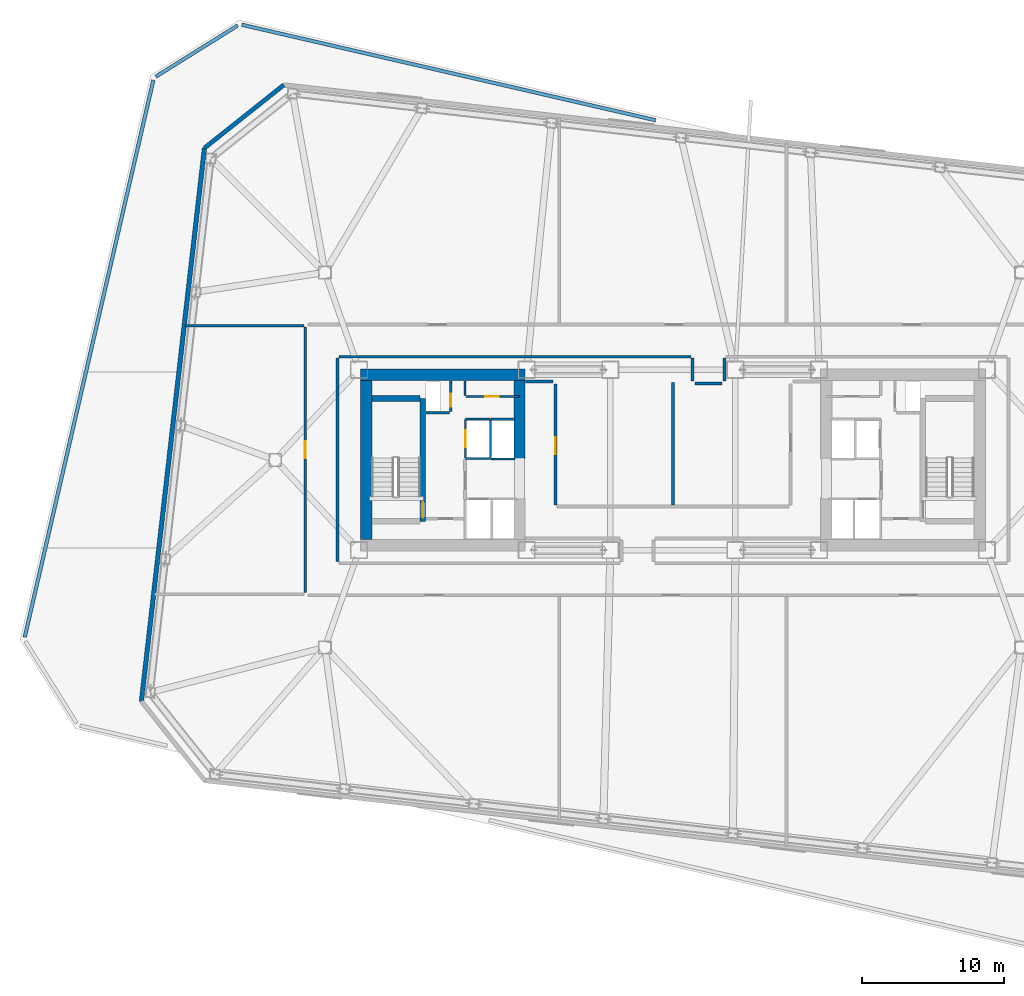
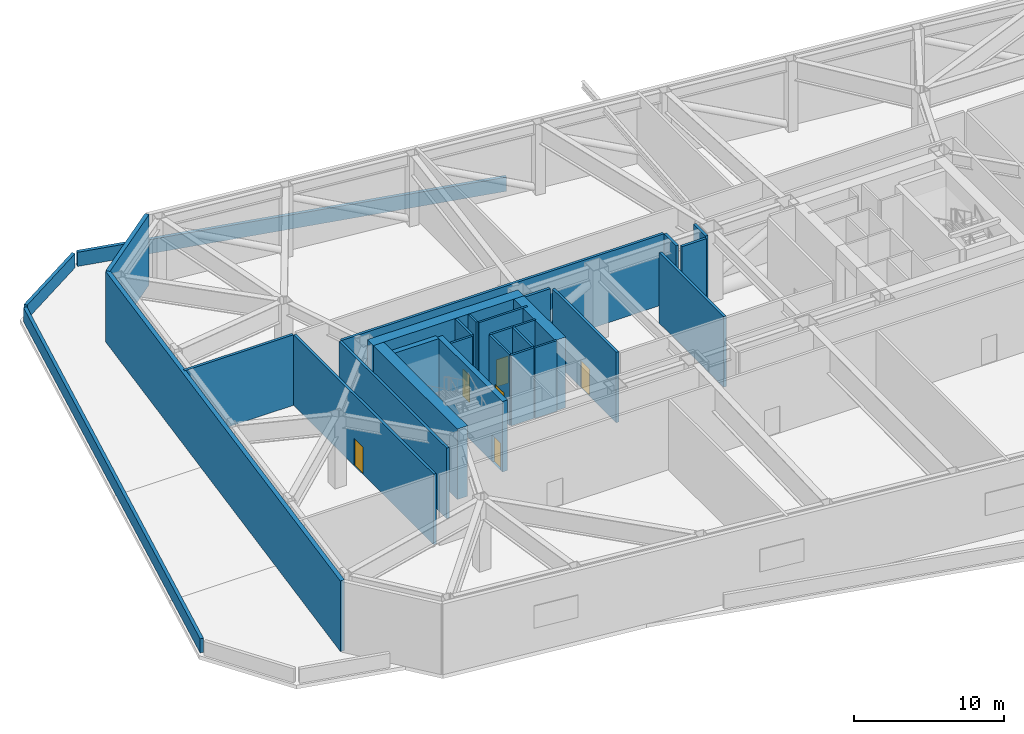
# One storey, part 5 of 14: 30 walls, 6 doors, 6 openings.
"""IFC4 building model written with IfcOpenShell, lengths in metres."""

from ifc_helpers import new_model, si_unit, direction, frame, frame_2d, origin, place, context, subcontext, project, spatial, rectangle, extrude, material, layer, layer_set, type_object, element, fill, save


model = new_model("IFC4")

# Units and contexts
model_context = context("Model", 3, precision=1e-05, world=origin(), true_north=direction((0.0, 1.0)))
body_context = subcontext(model_context, "Body", "Model", "MODEL_VIEW")
ifc_project = project(units=[si_unit("LENGTHUNIT", "METRE"), si_unit("AREAUNIT", "SQUARE_METRE"), si_unit("VOLUMEUNIT", "CUBIC_METRE"), si_unit("PLANEANGLEUNIT", "RADIAN"), si_unit("MASSUNIT", "GRAM", prefix="KILO")], contexts=[model_context])

# Site, building, storey
site_placement = place(None, origin())
site = spatial("IfcSite", under=ifc_project, at=site_placement, CompositionType="ELEMENT")
building_placement = place(site_placement, origin())
building = spatial("IfcBuilding", under=site, at=building_placement, Name="Tavrogorsk Clinical Tower", CompositionType="ELEMENT")
storey_placement = place(building_placement, frame((0.0, 0.0, 83.39990234375)))
storey = spatial("IfcBuildingStorey", under=building, at=storey_placement, Name="L18", CompositionType="ELEMENT", Elevation=83.39990234375)

# Wall, opening, door
ifc_material_1 = material(Name="Concrete B60", Category="concrete")
ifc_layer_1 = layer(ifc_material_1, 0.199951171875)
ifc_layer_set_1 = layer_set([ifc_layer_1], Name="Concrete B60")
wall_type_1 = type_object("IfcWallType", Name="CoreFireWall_200", PredefinedType="SOLIDWALL", material=ifc_layer_set_1)
wall_1_placement = place(storey_placement, frame((-25.8798828125, -9.344970703125, 0.0), z_axis=(0.0, 0.0, 1.0), x_axis=(0.0, 1.0, 0.0)))
wall_1 = element("IfcWall", 1, at=wall_1_placement, inside=storey, type_object=wall_type_1, Name="L18 Refuge Corridor Fire Wall 01", PredefinedType="SOLIDWALL", context=body_context, shape_type="SweptSolid", body=[
    extrude(rectangle(XDim=18.68994140625, YDim=0.199951171875, at=frame_2d((9.344970703125, 0.0))), origin(), (0.0, 0.0, 1.0), 5.739990234375),
])
opening_1_placement = place(wall_1_placement, frame((9.449951171875, 0.0, 0.0)))
opening_1 = element("IfcOpeningElement", 2, at=opening_1_placement, cuts=wall_1, Name="Opening FD-01", PredefinedType="OPENING", context=body_context, shape_type="SweptSolid", body=[
    extrude(rectangle(XDim=1.199951171875, YDim=2.199951171875, at=frame_2d((0.60009765625, 1.10009765625))), frame((0.0, 0.10986328125, 0.0), z_axis=(0.0, -1.0, 0.0), x_axis=(1.0, 0.0, 0.0)), (0.0, 0.0, 1.0), 0.219970703125),
])
ifc_material_2 = material(Name="Galvanised steel fire-rated door assembly", Category="steel")
door_type_1 = type_object("IfcDoorType", Name="FireDoor_FD01_1200", OperationType="NOTDEFINED", PredefinedType="DOOR", material=ifc_material_2)
door_1_placement = place(opening_1_placement, origin())
door_1 = element("IfcDoor", 3, at=door_1_placement, inside=storey, type_object=door_type_1, Name="L18 Smoke Extract & Damper Plenum West Fire Door", OperationType="SINGLE_SWING_LEFT", OverallHeight=2.199951171875, OverallWidth=1.199951171875, PredefinedType="DOOR", context=body_context, shape_type="SweptSolid", body=[
    extrude(rectangle(XDim=1.199951171875, YDim=2.199951171875, at=frame_2d((0.60009765625, 1.10009765625))), frame((0.0, 0.02490234375, 0.0), z_axis=(0.0, -1.0, 0.0), x_axis=(1.0, 0.0, 0.0)), (0.0, 0.0, 1.0), 0.050048828125),
])
fill(opening_1, door_1)

# Wall
wall_2_placement = place(storey_placement, frame((-10.3798828125, 5.530029296875, 0.0), z_axis=(0.0, 0.0, 1.0), x_axis=(1.0, 0.0, 0.0)))
element("IfcWall", 4, at=wall_2_placement, inside=storey, type_object=wall_type_1, Name="L18 Refuge Corridor Fire Wall 07", PredefinedType="SOLIDWALL", context=body_context, shape_type="SweptSolid", body=[
    extrude(rectangle(XDim=1.9248046875, YDim=0.199951171875, at=frame_2d((0.96240234375, 0.0))), origin(), (0.0, 0.0, 1.0), 5.739990234375),
])

# Wall, opening, door
wall_3_placement = place(storey_placement, frame((-8.27001953125, 5.344970703125, 0.0), z_axis=(0.0, 0.0, 1.0), x_axis=(0.0, -1.0, 0.0)))
wall_3 = element("IfcWall", 5, at=wall_3_placement, inside=storey, type_object=wall_type_1, Name="L18 Refuge Corridor Fire Wall 08", PredefinedType="SOLIDWALL", context=body_context, shape_type="SweptSolid", body=[
    extrude(rectangle(XDim=8.510009765625, YDim=0.199951171875, at=frame_2d((4.2548828125, 0.0))), origin(), (0.0, 0.0, 1.0), 5.739990234375),
])
opening_2_placement = place(wall_3_placement, frame((3.760009765625, 0.0, 0.0)))
opening_2 = element("IfcOpeningElement", 6, at=opening_2_placement, cuts=wall_3, Name="Opening FD-01", PredefinedType="OPENING", context=body_context, shape_type="SweptSolid", body=[
    extrude(rectangle(XDim=1.199951171875, YDim=2.199951171875, at=frame_2d((0.60009765625, 1.10009765625))), frame((0.0, 0.10986328125, 0.0), z_axis=(0.0, -1.0, 0.0), x_axis=(1.0, 0.0, 0.0)), (0.0, 0.0, 1.0), 0.219970703125),
])
door_2_placement = place(opening_2_placement, origin())
door_2 = element("IfcDoor", 7, at=door_2_placement, inside=storey, type_object=door_type_1, Name="L18 Zone Substation & Medical IT UPS Fire Door", OperationType="SINGLE_SWING_LEFT", OverallHeight=2.199951171875, OverallWidth=1.199951171875, PredefinedType="DOOR", context=body_context, shape_type="SweptSolid", body=[
    extrude(rectangle(XDim=1.199951171875, YDim=2.199951171875, at=frame_2d((0.60009765625, 1.10009765625))), frame((0.0, 0.02490234375, 0.0), z_axis=(0.0, -1.0, 0.0), x_axis=(1.0, 0.0, 0.0)), (0.0, 0.0, 1.0), 0.050048828125),
])
fill(opening_2, door_2)

# Walls
wall_4_placement = place(storey_placement, frame((3.6298828125, 7.1650390625, 0.0), z_axis=(0.0, 0.0, 1.0), x_axis=(0.0, -1.0, 0.0)))
element("IfcWall", 8, at=wall_4_placement, inside=storey, type_object=wall_type_1, Name="L18 Refuge Corridor Fire Wall 17", PredefinedType="SOLIDWALL", context=body_context, shape_type="SweptSolid", body=[
    extrude(rectangle(XDim=1.610107421875, YDim=0.199951171875, at=frame_2d((0.80517578125, 0.0))), origin(), (0.0, 0.0, 1.0), 5.739990234375),
])
wall_5_placement = place(storey_placement, frame((3.445068359375, 5.3701171875, 0.0), z_axis=(0.0, 0.0, 1.0), x_axis=(-1.0, 0.0, 0.0)))
element("IfcWall", 9, at=wall_5_placement, inside=storey, type_object=wall_type_1, Name="L18 Refuge Corridor Fire Wall 18", PredefinedType="SOLIDWALL", context=body_context, shape_type="SweptSolid", body=[
    extrude(rectangle(XDim=1.89013671875, YDim=0.199951171875, at=frame_2d((0.945068359375, 0.0))), origin(), (0.0, 0.0, 1.0), 5.739990234375),
])
wall_6_placement = place(storey_placement, frame((1.3701171875, 5.554931640625, 0.0), z_axis=(0.0, 0.0, 1.0), x_axis=(0.0, 1.0, 0.0)))
element("IfcWall", 10, at=wall_6_placement, inside=storey, type_object=wall_type_1, Name="L18 Refuge Corridor Fire Wall 19", PredefinedType="SOLIDWALL", context=body_context, shape_type="SweptSolid", body=[
    extrude(rectangle(XDim=1.610107421875, YDim=0.199951171875, at=frame_2d((0.80517578125, 0.0))), origin(), (0.0, 0.0, 1.0), 5.739990234375),
])
wall_7_placement = place(storey_placement, frame((1.264892578125, 7.27001953125, 0.0), z_axis=(0.0, 0.0, 1.0), x_axis=(-1.0, 0.0, 0.0)))
element("IfcWall", 11, at=wall_7_placement, inside=storey, type_object=wall_type_1, Name="L18 Refuge Corridor Fire Wall 20", PredefinedType="SOLIDWALL", context=body_context, shape_type="SweptSolid", body=[
    extrude(rectangle(XDim=24.77978515625, YDim=0.199951171875, at=frame_2d((12.389892578125, 0.0))), origin(), (0.0, 0.0, 1.0), 5.739990234375),
])
wall_8_placement = place(storey_placement, frame((-23.6201171875, 7.1650390625, 0.0), z_axis=(0.0, 0.0, 1.0), x_axis=(0.0, -1.0, 0.0)))
element("IfcWall", 12, at=wall_8_placement, inside=storey, type_object=wall_type_1, Name="L18 Refuge Corridor Fire Wall 21", PredefinedType="SOLIDWALL", context=body_context, shape_type="SweptSolid", body=[
    extrude(rectangle(XDim=14.330078125, YDim=0.199951171875, at=frame_2d((7.1650390625, 0.0))), origin(), (0.0, 0.0, 1.0), 5.739990234375),
])
wall_9_placement = place(storey_placement, frame((-34.3427734375, 9.449951171875, 0.0), z_axis=(0.0, 0.0, 1.0), x_axis=(1.0, 0.0, 0.0)))
element("IfcWall", 13, at=wall_9_placement, inside=storey, type_object=wall_type_1, Name="L18 Refuge & Plant Fire Wall 3", PredefinedType="SOLIDWALL", context=body_context, shape_type="SweptSolid", body=[
    extrude(rectangle(XDim=8.357666015625, YDim=0.199951171875, at=frame_2d((4.1787109375, 0.0))), origin(), (0.0, 0.0, 1.0), 5.739990234375),
])
wall_10_placement = place(storey_placement, frame((0.0, -3.1650390625, 0.0), z_axis=(0.0, 0.0, 1.0), x_axis=(0.0, 1.0, 0.0)))
element("IfcWall", 14, at=wall_10_placement, inside=storey, type_object=wall_type_1, Name="L18 Refuge & Plant Fire Wall 9", PredefinedType="SOLIDWALL", context=body_context, shape_type="SweptSolid", body=[
    extrude(rectangle(XDim=8.614990234375, YDim=0.199951171875, at=frame_2d((4.3076171875, 0.0))), origin(), (0.0, 0.0, 1.0), 5.739990234375),
])

# Wall, opening, door
ifc_material_3 = material(Name="Lightweight concrete blockwork B15", Category="masonry")
ifc_layer_2 = layer(ifc_material_3, 0.159912109375)
ifc_layer_set_2 = layer_set([ifc_layer_2], Name="Lightweight concrete blockwork B15")
wall_type_2 = type_object("IfcWallType", Name="PartitionWall_160", PredefinedType="PARTITIONING", material=ifc_layer_set_2)
wall_11_placement = place(storey_placement, frame((-14.554931640625, 4.4599609375, 0.0), z_axis=(0.0, 0.0, 1.0), x_axis=(1.0, 0.0, 0.0)))
wall_11 = element("IfcWall", 15, at=wall_11_placement, inside=storey, type_object=wall_type_2, Name="L18 Core West Pneumatic Dispatch South Wall", PredefinedType="PARTITIONING", context=body_context, shape_type="SweptSolid", body=[
    extrude(rectangle(XDim=3.7548828125, YDim=0.159912109375, at=frame_2d((1.87744140625, 0.0))), origin(), (0.0, 0.0, 1.0), 5.739990234375),
])
opening_3_placement = place(wall_11_placement, frame((1.35009765625, 0.0, 0.0)))
opening_3 = element("IfcOpeningElement", 16, at=opening_3_placement, cuts=wall_11, Name="Opening ID-02", PredefinedType="OPENING", context=body_context, shape_type="SweptSolid", body=[
    extrude(rectangle(XDim=0.949951171875, YDim=2.199951171875, at=frame_2d((0.47509765625, 1.10009765625))), frame((0.0, 0.08984375, 0.0), z_axis=(0.0, -1.0, 0.0), x_axis=(1.0, 0.0, 0.0)), (0.0, 0.0, 1.0), 0.179931640625),
])
ifc_material_4 = material(Name="Laminated timber leaf on aluminium frame", Category="wood")
door_type_2 = type_object("IfcDoorType", Name="InteriorDoor_ID02_950", OperationType="NOTDEFINED", PredefinedType="DOOR", material=ifc_material_4)
door_3_placement = place(opening_3_placement, origin())
door_3 = element("IfcDoor", 17, at=door_3_placement, inside=storey, type_object=door_type_2, Name="L18 Core West Pneumatic Dispatch Door", OperationType="SINGLE_SWING_LEFT", OverallHeight=2.199951171875, OverallWidth=0.949951171875, PredefinedType="DOOR", context=body_context, shape_type="SweptSolid", body=[
    extrude(rectangle(XDim=0.949951171875, YDim=2.199951171875, at=frame_2d((0.47509765625, 1.10009765625))), frame((0.0, 0.02490234375, 0.0), z_axis=(0.0, -1.0, 0.0), x_axis=(1.0, 0.0, 0.0)), (0.0, 0.0, 1.0), 0.050048828125),
])
fill(opening_3, door_3)

# Walls
wall_12_placement = place(storey_placement, frame((-14.639892578125, 4.544921875, 0.0), z_axis=(0.0, 0.0, 1.0), x_axis=(0.0, 1.0, 0.0)))
element("IfcWall", 18, at=wall_12_placement, inside=storey, type_object=wall_type_2, Name="L18 Core West Pneumatic Dispatch East Wall", PredefinedType="PARTITIONING", context=body_context, shape_type="SweptSolid", body=[
    extrude(rectangle(XDim=1.01513671875, YDim=0.159912109375, at=frame_2d((0.507568359375, 0.0))), origin(), (0.0, 0.0, 1.0), 5.739990234375),
])
ifc_material_5 = material(Name="Precast concrete B45 acoustic plenum wall", Category="concrete")
ifc_layer_3 = layer(ifc_material_5, 0.320068359375)
ifc_layer_set_3 = layer_set([ifc_layer_3], Name="Precast concrete B45 acoustic plenum wall")
wall_type_3 = type_object("IfcWallType", Name="PlantLouvreWall_320", PredefinedType="STANDARD", material=ifc_layer_set_3)
wall_13_placement = place(storey_placement, frame((-32.97802734375, 21.95751953125, 0.0), z_axis=(0.0, 0.0, 1.0), x_axis=(-0.113201605824, -0.993572038877, 0.0)))
element("IfcWall", 19, at=wall_13_placement, inside=storey, type_object=wall_type_3, Name="L18 W Pleated Limestone Wing Wall", PredefinedType="STANDARD", context=body_context, shape_type="SweptSolid", body=[
    extrude(rectangle(XDim=39.199951171875, YDim=0.320068359375, at=frame_2d((19.60009765625, 0.0))), origin(), (0.0, 0.0, 1.0), 5.739990234375),
])
ifc_material_6 = material(Name="Concrete B60", Category="concrete")
ifc_layer_4 = layer(ifc_material_6, 0.25)
ifc_layer_set_4 = layer_set([ifc_layer_4], Name="Concrete B60")
wall_type_4 = type_object("IfcWallType", Name="RoofParapetWall_250", PredefinedType="PARAPET", material=ifc_layer_set_4)
wall_14_placement = place(storey_placement, frame((-45.62890625, -12.47314453125, 0.0), z_axis=(0.0, 0.0, 1.0), x_axis=(0.22494766573, 0.974370847102, 0.0)))
element("IfcWall", 20, at=wall_14_placement, inside=storey, type_object=wall_type_4, Name="L18 Setback Coping Parapet 2", PredefinedType="PARAPET", context=body_context, shape_type="SweptSolid", body=[
    extrude(rectangle(XDim=40.248046875, YDim=0.25, at=frame_2d((20.1240234375, 0.0))), origin(), (0.0, 0.0, 1.0), 1.150146484375),
])
wall_15_placement = place(storey_placement, frame((-36.4033203125, 26.98388671875, 0.0), z_axis=(0.0, 0.0, 1.0), x_axis=(0.848044679396, 0.529924732154, 0.0)))
element("IfcWall", 21, at=wall_15_placement, inside=storey, type_object=wall_type_4, Name="L18 Setback Coping Parapet 3", PredefinedType="PARAPET", context=body_context, shape_type="SweptSolid", body=[
    extrude(rectangle(XDim=6.802001953125, YDim=0.25, at=frame_2d((3.40087890625, 0.0))), origin(), (0.0, 0.0, 1.0), 1.150146484375),
])
wall_16_placement = place(storey_placement, frame((-30.343505859375, 30.63720703125, 0.0), z_axis=(0.0, 0.0, 1.0), x_axis=(0.974370957462, -0.2249471877, 0.0)))
element("IfcWall", 22, at=wall_16_placement, inside=storey, type_object=wall_type_4, Name="L18 Setback Coping Parapet 4", PredefinedType="PARAPET", context=body_context, shape_type="SweptSolid", body=[
    extrude(rectangle(XDim=29.89306640625, YDim=0.25, at=frame_2d((14.946533203125, 0.0))), origin(), (0.0, 0.0, 1.0), 1.150146484375),
])

# Wall, opening, door
ifc_material_7 = material(Name="Lightweight concrete blockwork B25", Category="masonry")
ifc_layer_5 = layer(ifc_material_7, 0.159912109375)
ifc_layer_set_5 = layer_set([ifc_layer_5], Name="Lightweight concrete blockwork B25")
wall_type_5 = type_object("IfcWallType", Name="ShaftWall_160", PredefinedType="PARTITIONING", material=ifc_layer_set_5)
wall_17_placement = place(storey_placement, frame((-14.60009765625, 0.1201171875, 0.0), z_axis=(0.0, 0.0, 1.0), x_axis=(0.0, 1.0, 0.0)))
wall_17 = element("IfcWall", 23, at=wall_17_placement, inside=storey, type_object=wall_type_5, Name="L18 FFL-W Firefighting Lift Front Wall", PredefinedType="PARTITIONING", context=body_context, shape_type="SweptSolid", body=[
    extrude(rectangle(XDim=2.739990234375, YDim=0.159912109375, at=frame_2d((1.3701171875, 0.0))), origin(), (0.0, 0.0, 1.0), 5.739990234375),
])
opening_4_placement = place(wall_17_placement, frame((0.77001953125, 0.0, 0.0)))
opening_4 = element("IfcOpeningElement", 24, at=opening_4_placement, cuts=wall_17, Name="Opening LD", PredefinedType="OPENING", context=body_context, shape_type="SweptSolid", body=[
    extrude(rectangle(XDim=1.199951171875, YDim=2.199951171875, at=frame_2d((0.60009765625, 1.10009765625))), frame((0.0, 0.08984375, 0.0), z_axis=(0.0, -1.0, 0.0), x_axis=(1.0, 0.0, 0.0)), (0.0, 0.0, 1.0), 0.179931640625),
])
ifc_material_8 = material(Name="Brushed stainless steel AISI 304 sliding doors", Category="steel")
door_type_3 = type_object("IfcDoorType", Name="LiftLandingDoor_LD_1200", OperationType="SLIDING_TO_LEFT", PredefinedType="DOOR", material=ifc_material_8)
door_4_placement = place(opening_4_placement, origin())
door_4 = element("IfcDoor", 25, at=door_4_placement, inside=storey, type_object=door_type_3, Name="L18 FFL-W Sliding Lift Landing Door", OperationType="SLIDING_TO_LEFT", OverallHeight=2.199951171875, OverallWidth=1.199951171875, PredefinedType="DOOR", context=body_context, shape_type="SweptSolid", body=[
    extrude(rectangle(XDim=1.199951171875, YDim=2.199951171875, at=frame_2d((0.60009765625, 1.10009765625))), frame((0.0, 0.02490234375, 0.0), z_axis=(0.0, -1.0, 0.0), x_axis=(1.0, 0.0, 0.0)), (0.0, 0.0, 1.0), 0.050048828125),
])
fill(opening_4, door_4)

# Walls
for number, where, z_axis, x_axis, name in (
    (26, (-14.60009765625, 0.10009765625, 0.0), (0.0, 0.0, 1.0), (1.0, 0.0, 0.0), "L18 FFL-W Shaft South Wall"),
    (27, (-14.60009765625, 2.8798828125, 0.0), (0.0, 0.0, 1.0), (1.0, 0.0, 0.0), "L18 FFL-W Shaft North Wall"),
):
    element("IfcWall", number, at=place(storey_placement, frame(where, z_axis=z_axis, x_axis=x_axis)), inside=storey, type_object=wall_type_5, Name=name, PredefinedType="PARTITIONING", context=body_context, shape_type="SweptSolid", body=[
        extrude(rectangle(XDim=1.760009765625, YDim=0.159912109375, at=frame_2d((0.8798828125, 0.0))), origin(), (0.0, 0.0, 1.0), 5.739990234375),
    ])
wall_18_placement = place(storey_placement, frame((-12.840087890625, 0.179931640625, 0.0), z_axis=(0.0, 0.0, 1.0), x_axis=(0.0, 1.0, 0.0)))
element("IfcWall", 28, at=wall_18_placement, inside=storey, type_object=wall_type_5, Name="L18 FFL-W Shaft Back Wall", PredefinedType="PARTITIONING", context=body_context, shape_type="SweptSolid", body=[
    extrude(rectangle(XDim=2.6201171875, YDim=0.159912109375, at=frame_2d((1.31005859375, 0.0))), origin(), (0.0, 0.0, 1.0), 5.739990234375),
])
for number, where, z_axis, x_axis, name in (
    (29, (-12.820068359375, 0.06005859375, 0.0), (0.0, 0.0, 1.0), (1.0, 0.0, 0.0), "L18 LP-H1 High-Zone Lift Portal Wall"),
    (30, (-12.820068359375, 2.860107421875, 0.0), (0.0, 0.0, 1.0), (1.0, 0.0, 0.0), "L18 LP-H1 High-Zone Lift Rear Wall"),
):
    element("IfcWall", number, at=place(storey_placement, frame(where, z_axis=z_axis, x_axis=x_axis)), inside=storey, type_object=wall_type_5, Name=name, PredefinedType="PARTITIONING", context=body_context, shape_type="SweptSolid", body=[
        extrude(rectangle(XDim=1.719970703125, YDim=0.159912109375, at=frame_2d((0.85986328125, 0.0))), origin(), (0.0, 0.0, 1.0), 5.739990234375),
    ])

# Wall, opening, door
wall_19_placement = place(storey_placement, frame((-15.639892578125, 3.405029296875, 0.0), z_axis=(0.0, 0.0, 1.0), x_axis=(0.0, 1.0, 0.0)))
wall_19 = element("IfcWall", 31, at=wall_19_placement, inside=storey, type_object=wall_type_5, Name="L18 Core West Riser West Wall", PredefinedType="PARTITIONING", context=body_context, shape_type="SweptSolid", body=[
    extrude(rectangle(XDim=2.155029296875, YDim=0.159912109375, at=frame_2d((1.07763671875, 0.0))), origin(), (0.0, 0.0, 1.0), 5.739990234375),
])
opening_5_placement = place(wall_19_placement, frame((0.35009765625, 0.0, 0.0)))
opening_5 = element("IfcOpeningElement", 32, at=opening_5_placement, cuts=wall_19, Name="Opening FD-02", PredefinedType="OPENING", context=body_context, shape_type="SweptSolid", body=[
    extrude(rectangle(XDim=0.89990234375, YDim=2.199951171875, at=frame_2d((0.449951171875, 1.10009765625))), frame((0.0, 0.08984375, 0.0), z_axis=(0.0, -1.0, 0.0), x_axis=(1.0, 0.0, 0.0)), (0.0, 0.0, 1.0), 0.179931640625),
])
ifc_material_9 = material(Name="Galvanised steel fire-rated door assembly", Category="steel")
door_type_4 = type_object("IfcDoorType", Name="FireDoor_FD02_900", OperationType="NOTDEFINED", PredefinedType="DOOR", material=ifc_material_9)
door_5_placement = place(opening_5_placement, origin())
door_5 = element("IfcDoor", 33, at=door_5_placement, inside=storey, type_object=door_type_4, Name="L18 Core West Electrical Riser Access Door", OperationType="SINGLE_SWING_LEFT", OverallHeight=2.199951171875, OverallWidth=0.89990234375, PredefinedType="DOOR", context=body_context, shape_type="SweptSolid", body=[
    extrude(rectangle(XDim=0.89990234375, YDim=2.199951171875, at=frame_2d((0.449951171875, 1.10009765625))), frame((0.0, 0.02490234375, 0.0), z_axis=(0.0, -1.0, 0.0), x_axis=(1.0, 0.0, 0.0)), (0.0, 0.0, 1.0), 0.050048828125),
])
fill(opening_5, door_5)

# Wall
wall_20_placement = place(storey_placement, frame((-17.3798828125, 3.320068359375, 0.0), z_axis=(0.0, 0.0, 1.0), x_axis=(1.0, 0.0, 0.0)))
element("IfcWall", 34, at=wall_20_placement, inside=storey, type_object=wall_type_5, Name="L18 Core West Riser South Wall", PredefinedType="PARTITIONING", context=body_context, shape_type="SweptSolid", body=[
    extrude(rectangle(XDim=1.65478515625, YDim=0.159912109375, at=frame_2d((0.827392578125, 0.0))), origin(), (0.0, 0.0, 1.0), 5.739990234375),
])

# Wall, opening, door
ifc_material_10 = material(Name="Concrete B80", Category="concrete")
ifc_layer_6 = layer(ifc_material_10, 0.39990234375)
ifc_layer_set_6 = layer_set([ifc_layer_6], Name="Concrete B80")
wall_type_6 = type_object("IfcWallType", Name="ShearWall_400", PredefinedType="SHEAR", material=ifc_layer_set_6)
wall_21_placement = place(storey_placement, frame((-17.60009765625, -4.324951171875, 0.0), z_axis=(0.0, 0.0, 1.0), x_axis=(0.0, 1.0, 0.0)))
wall_21 = element("IfcWall", 35, at=wall_21_placement, inside=storey, type_object=wall_type_6, Name="L18 Core West Stair Shaft Inner Shear Wall", PredefinedType="SHEAR", context=body_context, shape_type="SweptSolid", body=[
    extrude(rectangle(XDim=8.64990234375, YDim=0.39990234375, at=frame_2d((4.324951171875, 0.0))), origin(), (0.0, 0.0, 1.0), 5.739990234375),
])
opening_6_placement = place(wall_21_placement, frame((0.25, 0.0, 0.0)))
opening_6 = element("IfcOpeningElement", 36, at=opening_6_placement, cuts=wall_21, Name="Opening SD-01", PredefinedType="OPENING", context=body_context, shape_type="SweptSolid", body=[
    extrude(rectangle(XDim=1.10009765625, YDim=2.199951171875, at=frame_2d((0.550048828125, 1.10009765625))), frame((0.0, 0.2099609375, 0.0), z_axis=(0.0, -1.0, 0.0), x_axis=(1.0, 0.0, 0.0)), (0.0, 0.0, 1.0), 0.419921875),
])
ifc_material_11 = material(Name="Galvanised steel smoke-tight fire door assembly", Category="steel")
door_type_5 = type_object("IfcDoorType", Name="StairFireDoor_SD01_1100", OperationType="NOTDEFINED", PredefinedType="DOOR", material=ifc_material_11)
door_6_placement = place(opening_6_placement, origin())
door_6 = element("IfcDoor", 37, at=door_6_placement, inside=storey, type_object=door_type_5, Name="L18 ST-W Exit Stair Door", OperationType="SINGLE_SWING_LEFT", OverallHeight=2.199951171875, OverallWidth=1.10009765625, PredefinedType="DOOR", context=body_context, shape_type="SweptSolid", body=[
    extrude(rectangle(XDim=1.10009765625, YDim=2.199951171875, at=frame_2d((0.550048828125, 1.10009765625))), frame((0.0, 0.02490234375, 0.0), z_axis=(0.0, -1.0, 0.0), x_axis=(1.0, 0.0, 0.0)), (0.0, 0.0, 1.0), 0.050048828125),
])
fill(opening_6, door_6)

# Walls
wall_22_placement = place(storey_placement, frame((-21.199951171875, 4.324951171875, 0.0), z_axis=(0.0, 0.0, 1.0), x_axis=(1.0, 0.0, 0.0)))
element("IfcWall", 38, at=wall_22_placement, inside=storey, type_object=wall_type_6, Name="L18 Core West Stair Shaft North Shear Wall", PredefinedType="SHEAR", context=body_context, shape_type="SweptSolid", body=[
    extrude(rectangle(XDim=3.39990234375, YDim=0.39990234375, at=frame_2d((1.699951171875, 0.0))), origin(), (0.0, 0.0, 1.0), 5.739990234375),
])
ifc_material_12 = material(Name="Concrete B80", Category="concrete")
ifc_layer_7 = layer(ifc_material_12, 0.800048828125)
ifc_layer_set_7 = layer_set([ifc_layer_7], Name="Concrete B80")
wall_type_7 = type_object("IfcWallType", Name="ShearWall_800", PredefinedType="SHEAR", material=ifc_layer_set_7)
wall_23_placement = place(storey_placement, frame((-22.0, 6.0, 0.0), z_axis=(0.0, 0.0, 1.0), x_axis=(1.0, 0.0, 0.0)))
element("IfcWall", 39, at=wall_23_placement, inside=storey, type_object=wall_type_7, Name="L18 Core West North Shear Wall", PredefinedType="SHEAR", context=body_context, shape_type="SweptSolid", body=[
    extrude(rectangle(XDim=11.60009765625, YDim=0.800048828125, at=frame_2d((5.800048828125, 0.0))), origin(), (0.0, 0.0, 1.0), 5.739990234375),
])
wall_24_placement = place(storey_placement, frame((-21.60009765625, -5.60009765625, 0.0), z_axis=(0.0, 0.0, 1.0), x_axis=(0.0, 1.0, 0.0)))
element("IfcWall", 40, at=wall_24_placement, inside=storey, type_object=wall_type_7, Name="L18 Core West End Shear Wall", PredefinedType="SHEAR", context=body_context, shape_type="SweptSolid", body=[
    extrude(rectangle(XDim=11.2001953125, YDim=0.800048828125, at=frame_2d((5.60009765625, 0.0))), origin(), (0.0, 0.0, 1.0), 5.739990234375),
])
wall_25_placement = place(storey_placement, frame((-10.800048828125, 0.050048828125, 0.0), z_axis=(0.0, 0.0, 1.0), x_axis=(0.0, 1.0, 0.0)))
element("IfcWall", 41, at=wall_25_placement, inside=storey, type_object=wall_type_7, Name="L18 Core West Inner North Pier", PredefinedType="SHEAR", context=body_context, shape_type="SweptSolid", body=[
    extrude(rectangle(XDim=5.550048828125, YDim=0.800048828125, at=frame_2d((2.77490234375, 0.0))), origin(), (0.0, 0.0, 1.0), 5.739990234375),
])
ifc_material_13 = material(Name="Precast concrete B45 with mineral wool", Category="concrete")
ifc_layer_8 = layer(ifc_material_13, 0.300048828125)
ifc_layer_set_8 = layer_set([ifc_layer_8], Name="Precast concrete B45 with mineral wool")
wall_type_8 = type_object("IfcWallType", Name="SpandrelBackWall_300", PredefinedType="STANDARD", material=ifc_layer_set_8)
wall_26_placement = place(storey_placement, frame((-27.39990234375, 26.394775390625, 0.0), z_axis=(0.0, 0.0, 1.0), x_axis=(-0.782593469013, -0.622533101335, 0.0)))
element("IfcWall", 42, at=wall_26_placement, inside=storey, type_object=wall_type_8, Name="L18 Chamfered Corner Wall 3", PredefinedType="STANDARD", context=body_context, shape_type="SweptSolid", body=[
    extrude(rectangle(XDim=7.127685546875, YDim=0.300048828125, at=frame_2d((3.56396484375, 0.0))), origin(), (0.0, 0.0, 1.0), 5.739990234375),
])

save(model, "model.ifc")
